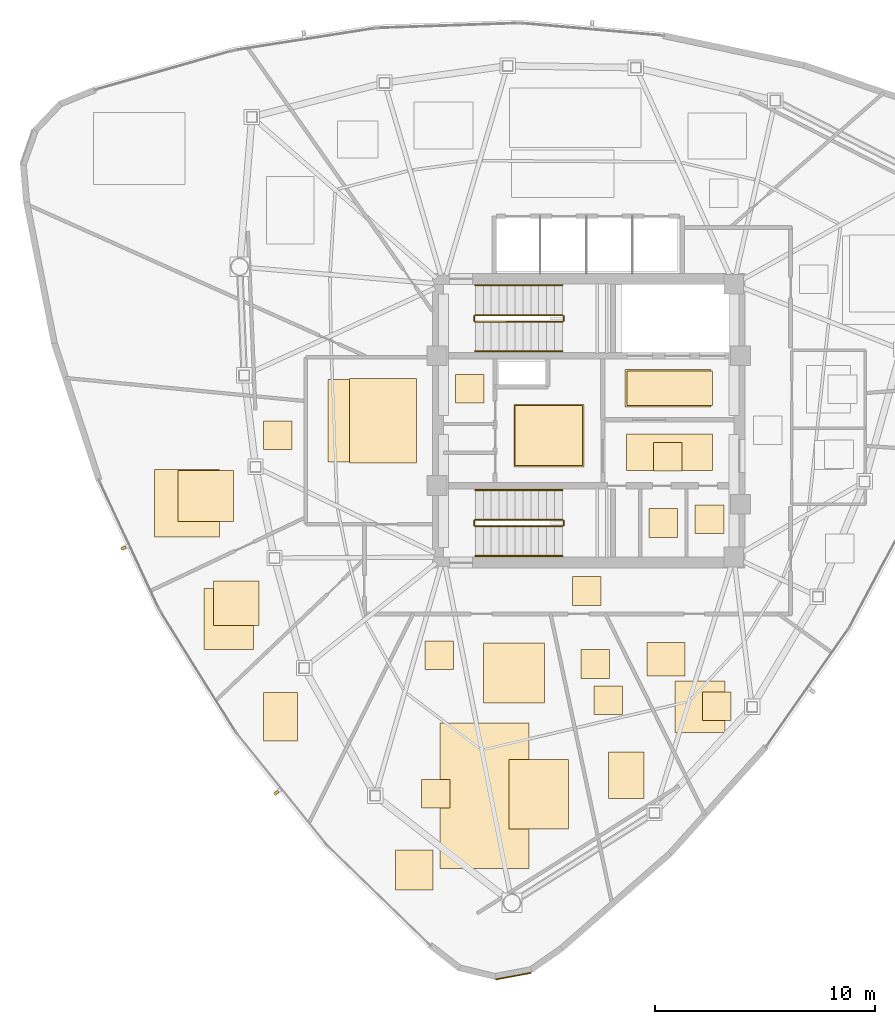
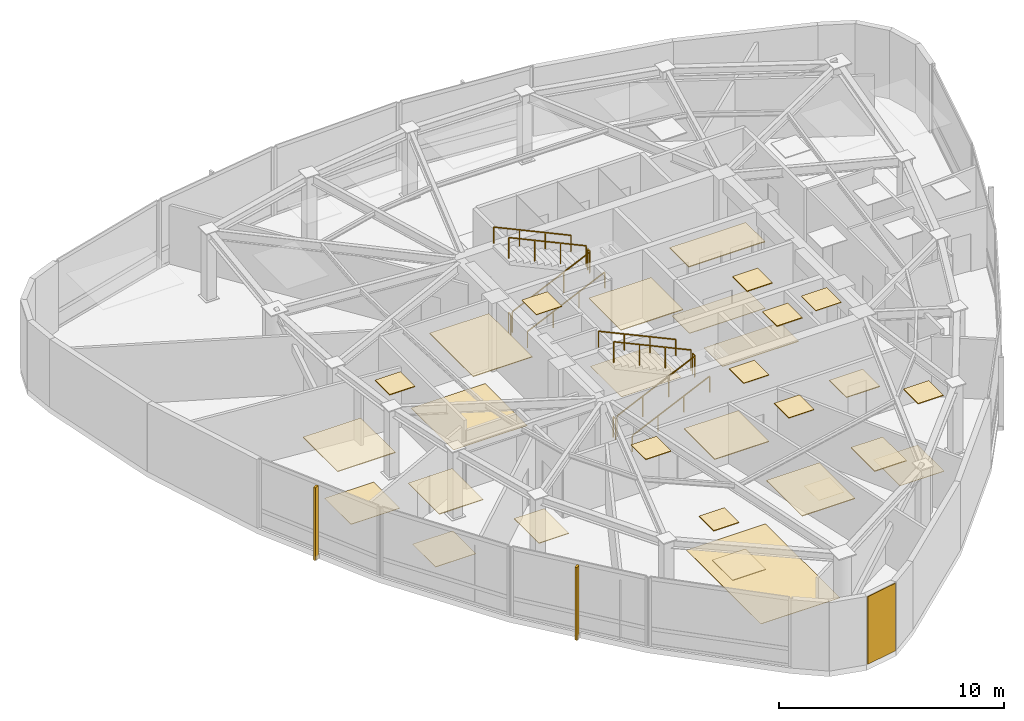
# One storey, part 11 of 12: 31 coverings, 12 railings, 2 shading devices.
"""IFC4 building model written with IfcOpenShell, lengths in metres."""

from ifc_helpers import new_model, si_unit, direction, frame, origin, origin_2d, place, context, subcontext, project, spatial, polyline, rectangle, outline, extrude, source, transform, mapped, material, layer, layer_set, type_object, type_shapes, element, save


model = new_model("IFC4")

# Units and contexts
model_context = context("Model", 3, precision=1e-05, world=origin(), true_north=direction((0.0, 1.0)))
body_context = subcontext(model_context, "Body", "Model", "MODEL_VIEW")
ifc_project = project(units=[si_unit("LENGTHUNIT", "METRE"), si_unit("AREAUNIT", "SQUARE_METRE"), si_unit("VOLUMEUNIT", "CUBIC_METRE"), si_unit("PLANEANGLEUNIT", "RADIAN"), si_unit("MASSUNIT", "GRAM", prefix="KILO")], contexts=[model_context])

# Site, building, storey
site_placement = place(None, origin())
site = spatial("IfcSite", under=ifc_project, at=site_placement, CompositionType="ELEMENT")
building_placement = place(site_placement, origin())
building = spatial("IfcBuilding", under=site, at=building_placement, Name="Tavelor Broadcast Tower", CompositionType="ELEMENT")
storey_placement = place(building_placement, frame((0.0, 0.0, 289.5)))
storey = spatial("IfcBuildingStorey", under=building, at=storey_placement, Name="L69", CompositionType="ELEMENT", Elevation=289.5)

# Coverings
ifc_material_1 = material(Name="Copper-Bronze Anodized Aluminium", Category="aluminium")
ifc_layer_1 = layer(ifc_material_1, 0.044921875)
ifc_layer_set_1 = layer_set([ifc_layer_1], Name="Copper-Bronze Anodized Aluminium")
covering_type_1 = type_object("IfcCoveringType", Name="Anodised Bronze Linear Slatted Concourse Ceiling 45 mm", PredefinedType="CEILING", material=ifc_layer_set_1)
covering_1_placement = place(storey_placement, frame((0.0, 0.0, 3.655029296875)))
element("IfcCovering", 1, at=covering_1_placement, inside=storey, type_object=covering_type_1, Name="L69 Suspended Acoustic Ceiling 2633", PredefinedType="CEILING", context=body_context, shape_type="SweptSolid", body=[
    extrude(outline(polyline([(51.659912109375, 45.6318359375), (55.55712890625, 45.6318359375), (55.55712890625, 47.328125), (51.659912109375, 47.328125), (51.659912109375, 45.6318359375)])), origin(), (0.0, 0.0, 1.0), 0.044921875),
])
covering_2_placement = place(storey_placement, frame((0.0, 0.0, 3.655029296875)))
element("IfcCovering", 2, at=covering_2_placement, inside=storey, type_object=covering_type_1, Name="L69 Suspended Acoustic Ceiling 2634", PredefinedType="CEILING", context=body_context, shape_type="SweptSolid", body=[
    extrude(outline(polyline([(52.95361328125, 42.705078125), (54.25341796875, 42.705078125), (54.25341796875, 44.0048828125), (52.95361328125, 44.0048828125), (52.95361328125, 42.705078125)])), origin(), (0.0, 0.0, 1.0), 0.044921875),
])
ifc_layer_2 = layer(ifc_material_1, 0.050048828125)
ifc_layer_set_2 = layer_set([ifc_layer_2], Name="Copper-Bronze Anodized Aluminium")
covering_type_2 = type_object("IfcCoveringType", Name="Champagne-Bronze Corner Pier Metal Cladding 50 mm", PredefinedType="CLADDING", material=ifc_layer_set_2)
covering_3_placement = place(storey_placement, frame((46.58203125, 19.748779296875, 0.02001953125), z_axis=(0.0, 0.0, 1.0), x_axis=(0.982774447059, 0.184809053369, 0.0)))
element("IfcCovering", 3, at=covering_3_placement, inside=storey, type_object=covering_type_2, Name="L69 Champagne-Bronze Corner Cladding 13", PredefinedType="CLADDING", context=body_context, shape_type="SweptSolid", body=[
    extrude(rectangle(XDim=1.624755859375, YDim=0.050048828125, at=origin_2d()), origin(), (0.0, 0.0, 1.0), 3.659912109375),
])

# Railings
ifc_material_2 = material(Name="Steel S355", Category="steel")
railing_type_1 = type_object("IfcRailingType", Name="Continuous Brushed Stainless Handrail 900 mm", PredefinedType="HANDRAIL", material=ifc_material_2)
railing_1_placement = place(storey_placement, frame((44.85009765625, 48.14990234375, 0.166748046875)))
element("IfcRailing", 4, at=railing_1_placement, inside=storey, type_object=railing_type_1, Name="L69 ST1 stair handrail 1", PredefinedType="HANDRAIL", context=body_context, shape_type="SweptSolid", body=[
    extrude(rectangle(XDim=0.048095703125, YDim=0.048095703125, at=origin_2d()), frame((0.0, 0.0, 0.8759765625), z_axis=(0.907472437036, 0.0, 0.420111623286), x_axis=(0.0, 1.0, 0.0)), (0.0, 0.0, 1.0), 4.36376953125),
    extrude(rectangle(XDim=0.0419921875, YDim=0.0419921875, at=origin_2d()), origin(), (0.0, 0.0, 1.0), 0.851806640625),
    extrude(rectangle(XDim=0.0419921875, YDim=0.0419921875, at=origin_2d()), frame((1.320068359375, 0.0, 0.611083984375)), (0.0, 0.0, 1.0), 0.851806640625),
    extrude(rectangle(XDim=0.0419921875, YDim=0.0419921875, at=origin_2d()), frame((2.639892578125, 0.0, 1.22216796875)), (0.0, 0.0, 1.0), 0.851806640625),
    extrude(rectangle(XDim=0.0419921875, YDim=0.0419921875, at=origin_2d()), frame((3.9599609375, 0.0, 1.833251953125)), (0.0, 0.0, 1.0), 0.851806640625),
])
railing_2_placement = place(storey_placement, frame((48.81005859375, 51.14990234375, 2.166748046875)))
element("IfcRailing", 5, at=railing_2_placement, inside=storey, type_object=railing_type_1, Name="L69 ST1 stair handrail 2", PredefinedType="HANDRAIL", context=body_context, shape_type="SweptSolid", body=[
    extrude(rectangle(XDim=0.048095703125, YDim=0.048095703125, at=origin_2d()), frame((0.0, 0.0, 0.8759765625), z_axis=(-0.907472437036, 0.0, 0.420111623286), x_axis=(0.0, -1.0, 0.0)), (0.0, 0.0, 1.0), 4.36376953125),
    extrude(rectangle(XDim=0.0419921875, YDim=0.0419921875, at=origin_2d()), origin(), (0.0, 0.0, 1.0), 0.851806640625),
    extrude(rectangle(XDim=0.0419921875, YDim=0.0419921875, at=origin_2d()), frame((-1.320068359375, 0.0, 0.611083984375)), (0.0, 0.0, 1.0), 0.851806640625),
    extrude(rectangle(XDim=0.0419921875, YDim=0.0419921875, at=origin_2d()), frame((-2.639892578125, 0.0, 1.22216796875)), (0.0, 0.0, 1.0), 0.851806640625),
    extrude(rectangle(XDim=0.0419921875, YDim=0.0419921875, at=origin_2d()), frame((-3.9599609375, 0.0, 1.833251953125)), (0.0, 0.0, 1.0), 0.851806640625),
])
railing_3_placement = place(storey_placement, frame((44.85009765625, 38.85009765625, 0.166748046875)))
element("IfcRailing", 6, at=railing_3_placement, inside=storey, type_object=railing_type_1, Name="L69 ST2 stair handrail 1", PredefinedType="HANDRAIL", context=body_context, shape_type="SweptSolid", body=[
    extrude(rectangle(XDim=0.048095703125, YDim=0.048095703125, at=origin_2d()), frame((0.0, 0.0, 0.8759765625), z_axis=(0.907472437036, 0.0, 0.420111623286), x_axis=(0.0, 1.0, 0.0)), (0.0, 0.0, 1.0), 4.36376953125),
    extrude(rectangle(XDim=0.0419921875, YDim=0.0419921875, at=origin_2d()), origin(), (0.0, 0.0, 1.0), 0.851806640625),
    extrude(rectangle(XDim=0.0419921875, YDim=0.0419921875, at=origin_2d()), frame((1.320068359375, 0.0, 0.611083984375)), (0.0, 0.0, 1.0), 0.851806640625),
    extrude(rectangle(XDim=0.0419921875, YDim=0.0419921875, at=origin_2d()), frame((2.639892578125, 0.0, 1.22216796875)), (0.0, 0.0, 1.0), 0.851806640625),
    extrude(rectangle(XDim=0.0419921875, YDim=0.0419921875, at=origin_2d()), frame((3.9599609375, 0.0, 1.833251953125)), (0.0, 0.0, 1.0), 0.851806640625),
])
railing_4_placement = place(storey_placement, frame((48.81005859375, 41.85009765625, 2.166748046875)))
element("IfcRailing", 7, at=railing_4_placement, inside=storey, type_object=railing_type_1, Name="L69 ST2 stair handrail 2", PredefinedType="HANDRAIL", context=body_context, shape_type="SweptSolid", body=[
    extrude(rectangle(XDim=0.048095703125, YDim=0.048095703125, at=origin_2d()), frame((0.0, 0.0, 0.8759765625), z_axis=(-0.907472437036, 0.0, 0.420111623286), x_axis=(0.0, -1.0, 0.0)), (0.0, 0.0, 1.0), 4.36376953125),
    extrude(rectangle(XDim=0.0419921875, YDim=0.0419921875, at=origin_2d()), origin(), (0.0, 0.0, 1.0), 0.851806640625),
    extrude(rectangle(XDim=0.0419921875, YDim=0.0419921875, at=origin_2d()), frame((-1.320068359375, 0.0, 0.611083984375)), (0.0, 0.0, 1.0), 0.851806640625),
    extrude(rectangle(XDim=0.0419921875, YDim=0.0419921875, at=origin_2d()), frame((-2.639892578125, 0.0, 1.22216796875)), (0.0, 0.0, 1.0), 0.851806640625),
    extrude(rectangle(XDim=0.0419921875, YDim=0.0419921875, at=origin_2d()), frame((-3.9599609375, 0.0, 1.833251953125)), (0.0, 0.0, 1.0), 0.851806640625),
])

# Coverings
ifc_material_3 = material(Name="Architectural Anodized Aluminium", Category="aluminium")
ifc_layer_3 = layer(ifc_material_3, 0.034912109375)
ifc_layer_set_3 = layer_set([ifc_layer_3], Name="Architectural Anodized Aluminium")
covering_type_3 = type_object("IfcCoveringType", Name="Demountable Metal Tile Corridor Ceiling 35 mm", PredefinedType="CEILING", material=ifc_layer_set_3)
covering_4_placement = place(storey_placement, frame((0.0, 0.0, 3.6650390625)))
element("IfcCovering", 8, at=covering_4_placement, inside=storey, type_object=covering_type_3, Name="L69 Suspended Acoustic Ceiling 2640", PredefinedType="CEILING", context=body_context, shape_type="SweptSolid", body=[
    extrude(outline(polyline([(49.261474609375, 36.610107421875), (50.5615234375, 36.610107421875), (50.5615234375, 37.909912109375), (49.261474609375, 37.909912109375), (49.261474609375, 36.610107421875)])), origin(), (0.0, 0.0, 1.0), 0.034912109375),
])
ifc_material_4 = material(Name="Acoustic Nylon Carpet Tile")
ifc_layer_4 = layer(ifc_material_4, 0.02001953125)
ifc_layer_set_4 = layer_set([ifc_layer_4], Name="Acoustic Nylon Carpet Tile")
covering_type_4 = type_object("IfcCoveringType", Name="Heavy-Duty Acoustic Broadcast Carpet Tile 20 mm", PredefinedType="FLOORING", material=ifc_layer_set_4)
covering_5_placement = place(storey_placement, origin())
element("IfcCovering", 9, at=covering_5_placement, inside=storey, type_object=covering_type_4, Name="L69 Broadcast Floor Finish 1026", PredefinedType="FLOORING", context=body_context, shape_type="SweptSolid", body=[
    extrude(outline(polyline([(46.6591796875, 42.953369140625), (49.730712890625, 42.953369140625), (49.730712890625, 45.6865234375), (46.6591796875, 45.6865234375), (46.6591796875, 42.953369140625)])), origin(), (0.0, 0.0, 1.0), 0.02001953125),
])
covering_6_placement = place(storey_placement, origin())
element("IfcCovering", 10, at=covering_6_placement, inside=storey, type_object=covering_type_4, Name="L69 Broadcast Floor Finish 1028", PredefinedType="FLOORING", context=body_context, shape_type="SweptSolid", body=[
    extrude(outline(polyline([(38.15771484375, 43.12890625), (41.942138671875, 43.12890625), (41.942138671875, 46.87060546875), (38.15771484375, 46.87060546875), (38.15771484375, 43.12890625)])), origin(), (0.0, 0.0, 1.0), 0.02001953125),
])
covering_7_placement = place(storey_placement, origin())
element("IfcCovering", 11, at=covering_7_placement, inside=storey, type_object=covering_type_4, Name="L69 Broadcast Floor Finish 1032", PredefinedType="FLOORING", context=body_context, shape_type="SweptSolid", body=[
    extrude(outline(polyline([(53.919677734375, 30.82177734375), (56.1884765625, 30.82177734375), (56.1884765625, 33.162353515625), (53.919677734375, 33.162353515625), (53.919677734375, 30.82177734375)])), origin(), (0.0, 0.0, 1.0), 0.02001953125),
])
covering_8_placement = place(storey_placement, origin())
element("IfcCovering", 12, at=covering_8_placement, inside=storey, type_object=covering_type_4, Name="L69 Broadcast Floor Finish 1033", PredefinedType="FLOORING", context=body_context, shape_type="SweptSolid", body=[
    extrude(outline(polyline([(50.239013671875, 31.638916015625), (51.538818359375, 31.638916015625), (51.538818359375, 32.93896484375), (50.239013671875, 32.93896484375), (50.239013671875, 31.638916015625)])), origin(), (0.0, 0.0, 1.0), 0.02001953125),
])
covering_9_placement = place(storey_placement, origin())
element("IfcCovering", 13, at=covering_9_placement, inside=storey, type_object=covering_type_4, Name="L69 Broadcast Floor Finish 1034", PredefinedType="FLOORING", context=body_context, shape_type="SweptSolid", body=[
    extrude(outline(polyline([(43.2373046875, 24.65234375), (47.28857421875, 24.65234375), (47.28857421875, 31.2548828125), (43.2373046875, 31.2548828125), (43.2373046875, 24.65234375)])), origin(), (0.0, 0.0, 1.0), 0.02001953125),
])
covering_10_placement = place(storey_placement, origin())
element("IfcCovering", 14, at=covering_10_placement, inside=storey, type_object=covering_type_4, Name="L69 Broadcast Floor Finish 1035", PredefinedType="FLOORING", context=body_context, shape_type="SweptSolid", body=[
    extrude(outline(polyline([(32.94384765625, 35.68408203125), (35.017822265625, 35.68408203125), (35.017822265625, 37.724365234375), (32.94384765625, 37.724365234375), (32.94384765625, 35.68408203125)])), origin(), (0.0, 0.0, 1.0), 0.02001953125),
])
covering_11_placement = place(storey_placement, origin())
element("IfcCovering", 15, at=covering_11_placement, inside=storey, type_object=covering_type_4, Name="L69 Broadcast Floor Finish 1036", PredefinedType="FLOORING", context=body_context, shape_type="SweptSolid", body=[
    extrude(outline(polyline([(31.3408203125, 40.414306640625), (33.850341796875, 40.414306640625), (33.850341796875, 42.74560546875), (31.3408203125, 42.74560546875), (31.3408203125, 40.414306640625)])), origin(), (0.0, 0.0, 1.0), 0.02001953125),
])
ifc_material_5 = material(Name="Honed Natural Limestone Tile", Category="masonry")
ifc_layer_5 = layer(ifc_material_5, 0.030029296875)
ifc_layer_set_5 = layer_set([ifc_layer_5], Name="Honed Natural Limestone Tile")
covering_type_5 = type_object("IfcCoveringType", Name="Honed Jerusalem Limestone Concourse Flooring 30 mm", PredefinedType="FLOORING", material=ifc_layer_set_5)
covering_12_placement = place(storey_placement, origin())
element("IfcCovering", 16, at=covering_12_placement, inside=storey, type_object=covering_type_5, Name="L69 Broadcast Floor Finish 1024", PredefinedType="FLOORING", context=body_context, shape_type="SweptSolid", body=[
    extrude(outline(polyline([(51.7373046875, 45.689453125), (55.62255859375, 45.689453125), (55.62255859375, 47.2705078125), (51.7373046875, 47.2705078125), (51.7373046875, 45.689453125)])), origin(), (0.0, 0.0, 1.0), 0.030029296875),
])
covering_13_placement = place(storey_placement, origin())
element("IfcCovering", 17, at=covering_13_placement, inside=storey, type_object=covering_type_5, Name="L69 Broadcast Floor Finish 1025", PredefinedType="FLOORING", context=body_context, shape_type="SweptSolid", body=[
    extrude(outline(polyline([(51.728759765625, 42.743408203125), (55.62109375, 42.743408203125), (55.62109375, 44.396484375), (51.728759765625, 44.396484375), (51.728759765625, 42.743408203125)])), origin(), (0.0, 0.0, 1.0), 0.030029296875),
])
ifc_layer_6 = layer(ifc_material_3, 0.030029296875)
ifc_layer_set_6 = layer_set([ifc_layer_6], Name="Architectural Anodized Aluminium")
covering_type_6 = type_object("IfcCoveringType", Name="Moisture-Resistant Washroom Ceiling 30 mm", PredefinedType="CEILING", material=ifc_layer_set_6)
covering_14_placement = place(storey_placement, frame((0.0, 0.0, 3.669921875)))
element("IfcCovering", 18, at=covering_14_placement, inside=storey, type_object=covering_type_6, Name="L69 Suspended Acoustic Ceiling 2637", PredefinedType="CEILING", context=body_context, shape_type="SweptSolid", body=[
    extrude(outline(polyline([(54.843505859375, 39.866455078125), (56.1435546875, 39.866455078125), (56.1435546875, 41.16650390625), (54.843505859375, 41.16650390625), (54.843505859375, 39.866455078125)])), origin(), (0.0, 0.0, 1.0), 0.030029296875),
])
covering_15_placement = place(storey_placement, frame((0.0, 0.0, 3.669921875)))
element("IfcCovering", 19, at=covering_15_placement, inside=storey, type_object=covering_type_6, Name="L69 Suspended Acoustic Ceiling 2638", PredefinedType="CEILING", context=body_context, shape_type="SweptSolid", body=[
    extrude(outline(polyline([(43.951416015625, 45.794921875), (45.25146484375, 45.794921875), (45.25146484375, 47.094970703125), (43.951416015625, 47.094970703125), (43.951416015625, 45.794921875)])), origin(), (0.0, 0.0, 1.0), 0.030029296875),
])

# Railings
railing_type_2 = type_object("IfcRailingType", Name="Stairwell Steel Safety Guardrail 1150 mm", PredefinedType="GUARDRAIL", material=ifc_material_2)
railing_5_placement = place(storey_placement, frame((44.85009765625, 49.5, 0.166748046875)))
element("IfcRailing", 20, at=railing_5_placement, inside=storey, type_object=railing_type_2, Name="L69 ST1 stair guard 1", PredefinedType="GUARDRAIL", context=body_context, shape_type="SweptSolid", body=[
    extrude(rectangle(XDim=0.048095703125, YDim=0.048095703125, at=origin_2d()), frame((0.0, 0.0, 1.1259765625), z_axis=(0.907472437036, 0.0, 0.420111623286), x_axis=(0.0, 1.0, 0.0)), (0.0, 0.0, 1.0), 4.36376953125),
    extrude(rectangle(XDim=0.0419921875, YDim=0.0419921875, at=origin_2d()), origin(), (0.0, 0.0, 1.0), 1.101806640625),
    extrude(rectangle(XDim=0.0419921875, YDim=0.0419921875, at=origin_2d()), frame((1.320068359375, 0.0, 0.611083984375)), (0.0, 0.0, 1.0), 1.101806640625),
    extrude(rectangle(XDim=0.0419921875, YDim=0.0419921875, at=origin_2d()), frame((2.639892578125, 0.0, 1.22216796875)), (0.0, 0.0, 1.0), 1.101806640625),
    extrude(rectangle(XDim=0.0419921875, YDim=0.0419921875, at=origin_2d()), frame((3.9599609375, 0.0, 1.833251953125)), (0.0, 0.0, 1.0), 1.101806640625),
])
railing_6_placement = place(storey_placement, frame((48.860107421875, 49.550048828125, 2.0)))
element("IfcRailing", 21, at=railing_6_placement, inside=storey, type_object=railing_type_2, Name="L69 ST1 stair guard 2", PredefinedType="GUARDRAIL", context=body_context, shape_type="SweptSolid", body=[
    extrude(rectangle(XDim=0.048095703125, YDim=0.048095703125, at=origin_2d()), frame((0.0, 0.0, 1.1259765625), z_axis=(0.0, 1.0, 0.0), x_axis=(-1.0, 0.0, 0.0)), (0.0, 0.0, 1.0), 0.199951171875),
    extrude(rectangle(XDim=0.0419921875, YDim=0.0419921875, at=origin_2d()), origin(), (0.0, 0.0, 1.0), 1.101806640625),
    extrude(rectangle(XDim=0.0419921875, YDim=0.0419921875, at=origin_2d()), frame((0.0, 0.199951171875, 0.0)), (0.0, 0.0, 1.0), 1.101806640625),
])
railing_7_placement = place(storey_placement, frame((48.81005859375, 49.800048828125, 2.166748046875)))
element("IfcRailing", 22, at=railing_7_placement, inside=storey, type_object=railing_type_2, Name="L69 ST1 stair guard 3", PredefinedType="GUARDRAIL", context=body_context, shape_type="SweptSolid", body=[
    extrude(rectangle(XDim=0.048095703125, YDim=0.048095703125, at=origin_2d()), frame((0.0, 0.0, 1.1259765625), z_axis=(-0.907472437036, 0.0, 0.420111623286), x_axis=(0.0, -1.0, 0.0)), (0.0, 0.0, 1.0), 4.36376953125),
    extrude(rectangle(XDim=0.0419921875, YDim=0.0419921875, at=origin_2d()), origin(), (0.0, 0.0, 1.0), 1.101806640625),
    extrude(rectangle(XDim=0.0419921875, YDim=0.0419921875, at=origin_2d()), frame((-1.320068359375, 0.0, 0.611083984375)), (0.0, 0.0, 1.0), 1.101806640625),
    extrude(rectangle(XDim=0.0419921875, YDim=0.0419921875, at=origin_2d()), frame((-2.639892578125, 0.0, 1.22216796875)), (0.0, 0.0, 1.0), 1.101806640625),
    extrude(rectangle(XDim=0.0419921875, YDim=0.0419921875, at=origin_2d()), frame((-3.9599609375, 0.0, 1.833251953125)), (0.0, 0.0, 1.0), 1.101806640625),
])
railing_8_placement = place(storey_placement, frame((44.800048828125, 49.550048828125, 0.0)))
element("IfcRailing", 23, at=railing_8_placement, inside=storey, type_object=railing_type_2, Name="L69 ST1 stair guard 4", PredefinedType="GUARDRAIL", context=body_context, shape_type="SweptSolid", body=[
    extrude(rectangle(XDim=0.048095703125, YDim=0.048095703125, at=origin_2d()), frame((0.0, 0.0, 1.1259765625), z_axis=(0.0, 1.0, 0.0), x_axis=(-1.0, 0.0, 0.0)), (0.0, 0.0, 1.0), 0.199951171875),
    extrude(rectangle(XDim=0.0419921875, YDim=0.0419921875, at=origin_2d()), origin(), (0.0, 0.0, 1.0), 1.101806640625),
    extrude(rectangle(XDim=0.0419921875, YDim=0.0419921875, at=origin_2d()), frame((0.0, 0.199951171875, 0.0)), (0.0, 0.0, 1.0), 1.101806640625),
])
railing_9_placement = place(storey_placement, frame((44.85009765625, 40.199951171875, 0.166748046875)))
element("IfcRailing", 24, at=railing_9_placement, inside=storey, type_object=railing_type_2, Name="L69 ST2 stair guard 1", PredefinedType="GUARDRAIL", context=body_context, shape_type="SweptSolid", body=[
    extrude(rectangle(XDim=0.048095703125, YDim=0.048095703125, at=origin_2d()), frame((0.0, 0.0, 1.1259765625), z_axis=(0.907472437036, 0.0, 0.420111623286), x_axis=(0.0, 1.0, 0.0)), (0.0, 0.0, 1.0), 4.36376953125),
    extrude(rectangle(XDim=0.0419921875, YDim=0.0419921875, at=origin_2d()), origin(), (0.0, 0.0, 1.0), 1.101806640625),
    extrude(rectangle(XDim=0.0419921875, YDim=0.0419921875, at=origin_2d()), frame((1.320068359375, 0.0, 0.611083984375)), (0.0, 0.0, 1.0), 1.101806640625),
    extrude(rectangle(XDim=0.0419921875, YDim=0.0419921875, at=origin_2d()), frame((2.639892578125, 0.0, 1.22216796875)), (0.0, 0.0, 1.0), 1.101806640625),
    extrude(rectangle(XDim=0.0419921875, YDim=0.0419921875, at=origin_2d()), frame((3.9599609375, 0.0, 1.833251953125)), (0.0, 0.0, 1.0), 1.101806640625),
])
railing_10_placement = place(storey_placement, frame((48.860107421875, 40.25, 2.0)))
element("IfcRailing", 25, at=railing_10_placement, inside=storey, type_object=railing_type_2, Name="L69 ST2 stair guard 2", PredefinedType="GUARDRAIL", context=body_context, shape_type="SweptSolid", body=[
    extrude(rectangle(XDim=0.048095703125, YDim=0.048095703125, at=origin_2d()), frame((0.0, 0.0, 1.1259765625), z_axis=(0.0, 1.0, 0.0), x_axis=(-1.0, 0.0, 0.0)), (0.0, 0.0, 1.0), 0.199951171875),
    extrude(rectangle(XDim=0.0419921875, YDim=0.0419921875, at=origin_2d()), origin(), (0.0, 0.0, 1.0), 1.101806640625),
    extrude(rectangle(XDim=0.0419921875, YDim=0.0419921875, at=origin_2d()), frame((0.0, 0.199951171875, 0.0)), (0.0, 0.0, 1.0), 1.101806640625),
])
railing_11_placement = place(storey_placement, frame((48.81005859375, 40.5, 2.166748046875)))
element("IfcRailing", 26, at=railing_11_placement, inside=storey, type_object=railing_type_2, Name="L69 ST2 stair guard 3", PredefinedType="GUARDRAIL", context=body_context, shape_type="SweptSolid", body=[
    extrude(rectangle(XDim=0.048095703125, YDim=0.048095703125, at=origin_2d()), frame((0.0, 0.0, 1.1259765625), z_axis=(-0.907472437036, 0.0, 0.420111623286), x_axis=(0.0, -1.0, 0.0)), (0.0, 0.0, 1.0), 4.36376953125),
    extrude(rectangle(XDim=0.0419921875, YDim=0.0419921875, at=origin_2d()), origin(), (0.0, 0.0, 1.0), 1.101806640625),
    extrude(rectangle(XDim=0.0419921875, YDim=0.0419921875, at=origin_2d()), frame((-1.320068359375, 0.0, 0.611083984375)), (0.0, 0.0, 1.0), 1.101806640625),
    extrude(rectangle(XDim=0.0419921875, YDim=0.0419921875, at=origin_2d()), frame((-2.639892578125, 0.0, 1.22216796875)), (0.0, 0.0, 1.0), 1.101806640625),
    extrude(rectangle(XDim=0.0419921875, YDim=0.0419921875, at=origin_2d()), frame((-3.9599609375, 0.0, 1.833251953125)), (0.0, 0.0, 1.0), 1.101806640625),
])
railing_12_placement = place(storey_placement, frame((44.800048828125, 40.25, 0.0)))
element("IfcRailing", 27, at=railing_12_placement, inside=storey, type_object=railing_type_2, Name="L69 ST2 stair guard 4", PredefinedType="GUARDRAIL", context=body_context, shape_type="SweptSolid", body=[
    extrude(rectangle(XDim=0.048095703125, YDim=0.048095703125, at=origin_2d()), frame((0.0, 0.0, 1.1259765625), z_axis=(0.0, 1.0, 0.0), x_axis=(-1.0, 0.0, 0.0)), (0.0, 0.0, 1.0), 0.199951171875),
    extrude(rectangle(XDim=0.0419921875, YDim=0.0419921875, at=origin_2d()), origin(), (0.0, 0.0, 1.0), 1.101806640625),
    extrude(rectangle(XDim=0.0419921875, YDim=0.0419921875, at=origin_2d()), frame((0.0, 0.199951171875, 0.0)), (0.0, 0.0, 1.0), 1.101806640625),
])

# Coverings
ifc_material_6 = material(Name="Acoustic Mineral Fibre Tile")
ifc_layer_7 = layer(ifc_material_6, 0.0400390625)
ifc_layer_set_7 = layer_set([ifc_layer_7], Name="Acoustic Mineral Fibre Tile")
covering_type_7 = type_object("IfcCoveringType", Name="Suspended Acoustic Mineral-Fibre Office Ceiling 40 mm", PredefinedType="CEILING", material=ifc_layer_set_7)
covering_16_placement = place(storey_placement, frame((0.0, 0.0, 3.659912109375)))
element("IfcCovering", 28, at=covering_16_placement, inside=storey, type_object=covering_type_7, Name="L69 Suspended Acoustic Ceiling 2635", PredefinedType="CEILING", context=body_context, shape_type="SweptSolid", body=[
    extrude(outline(polyline([(46.6015625, 42.895751953125), (49.788330078125, 42.895751953125), (49.788330078125, 45.744140625), (46.6015625, 45.744140625), (46.6015625, 42.895751953125)])), origin(), (0.0, 0.0, 1.0), 0.0400390625),
])
covering_17_placement = place(storey_placement, frame((0.0, 0.0, 3.659912109375)))
element("IfcCovering", 29, at=covering_17_placement, inside=storey, type_object=covering_type_7, Name="L69 Suspended Acoustic Ceiling 2636", PredefinedType="CEILING", context=body_context, shape_type="SweptSolid", body=[
    extrude(outline(polyline([(52.75, 39.699951171875), (54.050048828125, 39.699951171875), (54.050048828125, 41.0), (52.75, 41.0), (52.75, 39.699951171875)])), origin(), (0.0, 0.0, 1.0), 0.0400390625),
])
covering_18_placement = place(storey_placement, frame((0.0, 0.0, 3.659912109375)))
element("IfcCovering", 30, at=covering_18_placement, inside=storey, type_object=covering_type_7, Name="L69 Suspended Acoustic Ceiling 2641", PredefinedType="CEILING", context=body_context, shape_type="SweptSolid", body=[
    extrude(outline(polyline([(39.130615234375, 43.0712890625), (42.16748046875, 43.0712890625), (42.16748046875, 46.927978515625), (39.130615234375, 46.927978515625), (39.130615234375, 43.0712890625)])), origin(), (0.0, 0.0, 1.0), 0.0400390625),
])
covering_19_placement = place(storey_placement, frame((0.0, 0.0, 3.659912109375)))
element("IfcCovering", 31, at=covering_19_placement, inside=storey, type_object=covering_type_7, Name="L69 Suspended Acoustic Ceiling 2644", PredefinedType="CEILING", context=body_context, shape_type="SweptSolid", body=[
    extrude(outline(polyline([(55.1728515625, 31.37841796875), (56.472900390625, 31.37841796875), (56.472900390625, 32.678466796875), (55.1728515625, 32.678466796875), (55.1728515625, 31.37841796875)])), origin(), (0.0, 0.0, 1.0), 0.0400390625),
])
covering_20_placement = place(storey_placement, frame((0.0, 0.0, 3.659912109375)))
element("IfcCovering", 32, at=covering_20_placement, inside=storey, type_object=covering_type_7, Name="L69 Suspended Acoustic Ceiling 2645", PredefinedType="CEILING", context=body_context, shape_type="SweptSolid", body=[
    extrude(outline(polyline([(52.663818359375, 33.38427734375), (54.3740234375, 33.38427734375), (54.3740234375, 34.91552734375), (52.663818359375, 34.91552734375), (52.663818359375, 33.38427734375)])), origin(), (0.0, 0.0, 1.0), 0.0400390625),
])
covering_21_placement = place(storey_placement, frame((0.0, 0.0, 3.659912109375)))
element("IfcCovering", 33, at=covering_21_placement, inside=storey, type_object=covering_type_7, Name="L69 Suspended Acoustic Ceiling 2646", PredefinedType="CEILING", context=body_context, shape_type="SweptSolid", body=[
    extrude(outline(polyline([(50.8935546875, 27.816650390625), (52.526611328125, 27.816650390625), (52.526611328125, 29.931884765625), (50.8935546875, 29.931884765625), (50.8935546875, 27.816650390625)])), origin(), (0.0, 0.0, 1.0), 0.0400390625),
])
covering_22_placement = place(storey_placement, frame((0.0, 0.0, 3.659912109375)))
element("IfcCovering", 34, at=covering_22_placement, inside=storey, type_object=covering_type_7, Name="L69 Suspended Acoustic Ceiling 2647", PredefinedType="CEILING", context=body_context, shape_type="SweptSolid", body=[
    extrude(outline(polyline([(49.657470703125, 33.29052734375), (50.95751953125, 33.29052734375), (50.95751953125, 34.590576171875), (49.657470703125, 34.590576171875), (49.657470703125, 33.29052734375)])), origin(), (0.0, 0.0, 1.0), 0.0400390625),
])
covering_23_placement = place(storey_placement, frame((0.0, 0.0, 3.659912109375)))
element("IfcCovering", 35, at=covering_23_placement, inside=storey, type_object=covering_type_7, Name="L69 Suspended Acoustic Ceiling 2648", PredefinedType="CEILING", context=body_context, shape_type="SweptSolid", body=[
    extrude(outline(polyline([(41.211181640625, 23.655517578125), (42.92919921875, 23.655517578125), (42.92919921875, 25.477294921875), (41.211181640625, 25.477294921875), (41.211181640625, 23.655517578125)])), origin(), (0.0, 0.0, 1.0), 0.0400390625),
])
covering_24_placement = place(storey_placement, frame((0.0, 0.0, 3.659912109375)))
element("IfcCovering", 36, at=covering_24_placement, inside=storey, type_object=covering_type_7, Name="L69 Suspended Acoustic Ceiling 2649", PredefinedType="CEILING", context=body_context, shape_type="SweptSolid", body=[
    extrude(outline(polyline([(42.555419921875, 33.6826171875), (43.855224609375, 33.6826171875), (43.855224609375, 34.982666015625), (42.555419921875, 34.982666015625), (42.555419921875, 33.6826171875)])), origin(), (0.0, 0.0, 1.0), 0.0400390625),
])
covering_25_placement = place(storey_placement, frame((0.0, 0.0, 3.659912109375)))
element("IfcCovering", 37, at=covering_25_placement, inside=storey, type_object=covering_type_7, Name="L69 Suspended Acoustic Ceiling 2650", PredefinedType="CEILING", context=body_context, shape_type="SweptSolid", body=[
    extrude(outline(polyline([(45.2138671875, 32.159423828125), (47.989013671875, 32.159423828125), (47.989013671875, 34.8974609375), (45.2138671875, 34.8974609375), (45.2138671875, 32.159423828125)])), origin(), (0.0, 0.0, 1.0), 0.0400390625),
])
covering_26_placement = place(storey_placement, frame((0.0, 0.0, 3.659912109375)))
element("IfcCovering", 38, at=covering_26_placement, inside=storey, type_object=covering_type_7, Name="L69 Suspended Acoustic Ceiling 2651", PredefinedType="CEILING", context=body_context, shape_type="SweptSolid", body=[
    extrude(outline(polyline([(46.380615234375, 26.43115234375), (49.08544921875, 26.43115234375), (49.08544921875, 29.60302734375), (46.380615234375, 29.60302734375), (46.380615234375, 26.43115234375)])), origin(), (0.0, 0.0, 1.0), 0.0400390625),
])
covering_27_placement = place(storey_placement, frame((0.0, 0.0, 3.659912109375)))
element("IfcCovering", 39, at=covering_27_placement, inside=storey, type_object=covering_type_7, Name="L69 Suspended Acoustic Ceiling 2652", PredefinedType="CEILING", context=body_context, shape_type="SweptSolid", body=[
    extrude(outline(polyline([(42.408203125, 27.39892578125), (43.708251953125, 27.39892578125), (43.708251953125, 28.698974609375), (42.408203125, 28.698974609375), (42.408203125, 27.39892578125)])), origin(), (0.0, 0.0, 1.0), 0.0400390625),
])
covering_28_placement = place(storey_placement, frame((0.0, 0.0, 3.659912109375)))
element("IfcCovering", 40, at=covering_28_placement, inside=storey, type_object=covering_type_7, Name="L69 Suspended Acoustic Ceiling 2653", PredefinedType="CEILING", context=body_context, shape_type="SweptSolid", body=[
    extrude(outline(polyline([(35.2119140625, 30.44091796875), (36.75390625, 30.44091796875), (36.75390625, 32.638427734375), (35.2119140625, 32.638427734375), (35.2119140625, 30.44091796875)])), origin(), (0.0, 0.0, 1.0), 0.0400390625),
])
covering_29_placement = place(storey_placement, frame((0.0, 0.0, 3.659912109375)))
element("IfcCovering", 41, at=covering_29_placement, inside=storey, type_object=covering_type_7, Name="L69 Suspended Acoustic Ceiling 2654", PredefinedType="CEILING", context=body_context, shape_type="SweptSolid", body=[
    extrude(outline(polyline([(32.5146484375, 34.606201171875), (34.765380859375, 34.606201171875), (34.765380859375, 37.361572265625), (32.5146484375, 37.361572265625), (32.5146484375, 34.606201171875)])), origin(), (0.0, 0.0, 1.0), 0.0400390625),
])
covering_30_placement = place(storey_placement, frame((0.0, 0.0, 3.659912109375)))
element("IfcCovering", 42, at=covering_30_placement, inside=storey, type_object=covering_type_7, Name="L69 Suspended Acoustic Ceiling 2655", PredefinedType="CEILING", context=body_context, shape_type="SweptSolid", body=[
    extrude(outline(polyline([(30.254150390625, 39.707275390625), (33.20849609375, 39.707275390625), (33.20849609375, 42.7763671875), (30.254150390625, 42.7763671875), (30.254150390625, 39.707275390625)])), origin(), (0.0, 0.0, 1.0), 0.0400390625),
])
covering_31_placement = place(storey_placement, frame((0.0, 0.0, 3.659912109375)))
element("IfcCovering", 43, at=covering_31_placement, inside=storey, type_object=covering_type_7, Name="L69 Suspended Acoustic Ceiling 2656", PredefinedType="CEILING", context=body_context, shape_type="SweptSolid", body=[
    extrude(outline(polyline([(35.222900390625, 43.694580078125), (36.52294921875, 43.694580078125), (36.52294921875, 44.99462890625), (35.222900390625, 44.99462890625), (35.222900390625, 43.694580078125)])), origin(), (0.0, 0.0, 1.0), 0.0400390625),
])

# Shading devices
ifc_material_7 = material(Name="Kiln-Fired Glazed Terracotta", Category="masonry")
shading_device_type = type_object("IfcShadingDeviceType", Name="Extruded Terracotta Baguette Sun-Screen 110x240", PredefinedType="JALOUSIE", material=ifc_material_7)
shared_shape = source(origin(), body_context, "Body", "SweptSolid", [
    extrude(rectangle(XDim=0.110107421875, YDim=0.239990234375, at=origin_2d()), origin(), (0.0, 0.0, 1.0), 3.93994140625),
])
type_shapes(shading_device_type, [shared_shape])
for number, where, z_axis, x_axis, name in (
    (44, (28.850830078125, 39.2109375, -0.260009765625), (0.0, 0.0, 1.0), (0.422934597085, -0.906160210221, 0.0), "L69 Terracotta Baguette Fin 685"),
    (45, (35.798828125, 28.0810546875, -0.260009765625), (0.0, 0.0, 1.0), (0.628370458711, -0.777914241173, 0.0), "L69 Terracotta Baguette Fin 686"),
):
    element("IfcShadingDevice", number, at=place(storey_placement, frame(where, z_axis=z_axis, x_axis=x_axis)), inside=storey, type_object=shading_device_type, Name=name, PredefinedType="JALOUSIE", context=body_context, shape_type="MappedRepresentation", body=[
        mapped(shared_shape, transform((0.0, 0.0, 0.0), scale=1.0)),
    ])

save(model, "model.ifc")
